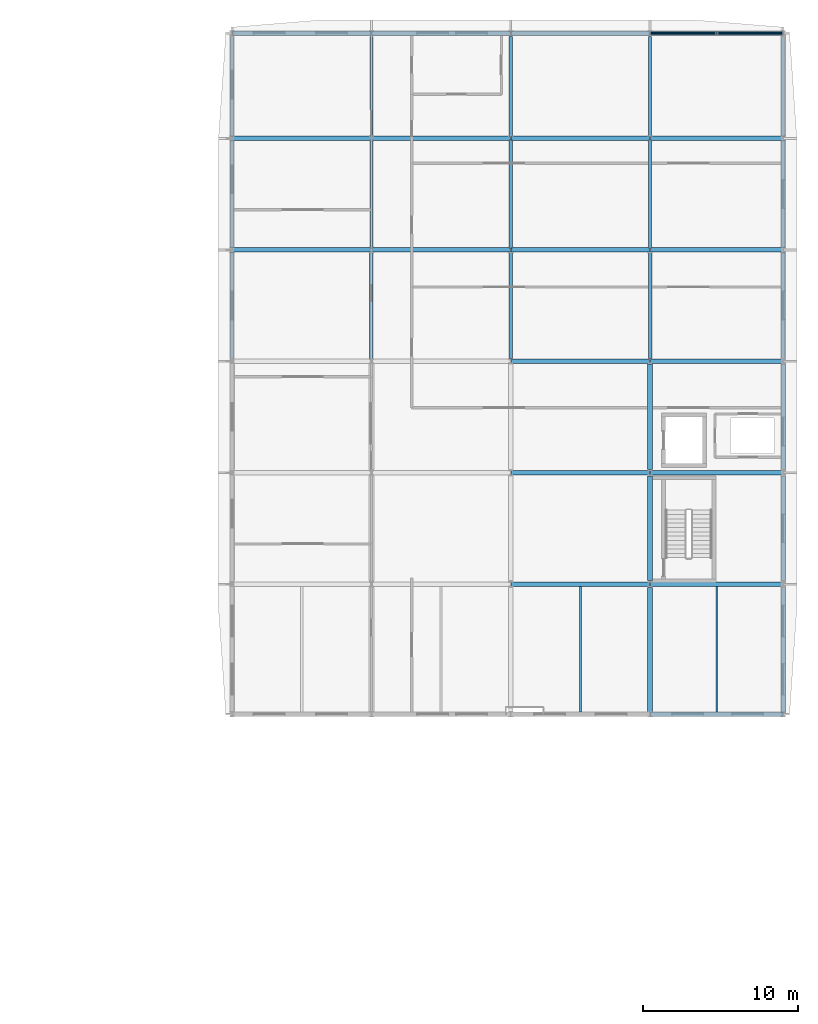
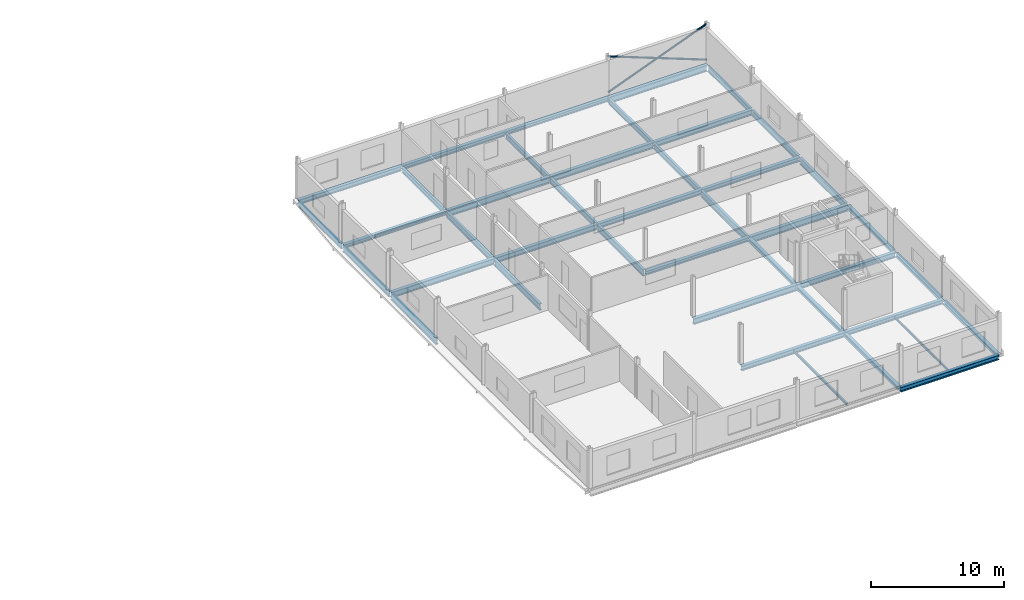
# One storey, part 11 of 30: 42 beams, 3 members.
"""IFC4 building model written with IfcOpenShell, lengths in metres."""

from ifc_helpers import new_model, si_unit, direction, frame, origin, origin_2d, place, context, subcontext, project, spatial, hollow_circle, i_section, extrude, material, material_profile, profile_set, type_object, element, save


model = new_model("IFC4")

# Units and contexts
model_context = context("Model", 3, precision=1e-05, world=origin(), true_north=direction((0.0, 1.0)))
body_context = subcontext(model_context, "Body", "Model", "MODEL_VIEW")
ifc_project = project(units=[si_unit("LENGTHUNIT", "METRE"), si_unit("AREAUNIT", "SQUARE_METRE"), si_unit("VOLUMEUNIT", "CUBIC_METRE"), si_unit("PLANEANGLEUNIT", "RADIAN"), si_unit("MASSUNIT", "GRAM", prefix="KILO")], contexts=[model_context])

# Site, building, storey
site_placement = place(None, origin())
site = spatial("IfcSite", under=ifc_project, at=site_placement, CompositionType="ELEMENT")
building_placement = place(site_placement, origin())
building = spatial("IfcBuilding", under=site, at=building_placement, Name="Vinh Khe Railworks Police Headquarters", CompositionType="ELEMENT")
storey_placement = place(building_placement, frame((0.0, 0.0, 21.0)))
storey = spatial("IfcBuildingStorey", under=building, at=storey_placement, Name="L05", CompositionType="ELEMENT", Elevation=21.0)

# Members
ifc_material = material(Name="Steel S355JR", Category="steel")
ifc_material_profile_1 = material_profile(ifc_material, hollow_circle(Radius=0.084228515625, WallThickness=0.010009765625, at=origin_2d()), Name="CHS 168.3x10")
ifc_profile_set_1 = profile_set([ifc_material_profile_1], Name="Steel S355JR")
member_type = type_object("IfcMemberType", Name="Concentric Brace CHS 168.3x10", PredefinedType="BRACE", material=ifc_profile_set_1)
member_1_placement = place(storey_placement, frame((105.02001953125, 166.39990234375, 0.199951171875), z_axis=(0.933063425249, 0.0, 0.35971189091), x_axis=(0.0, 1.0, 0.0)))
element("IfcMember", 1, at=member_1_placement, inside=storey, type_object=member_type, Name="Continuous Concentric Brace MEM-BR-L05-BR-12-064", PredefinedType="BRACE", context=body_context, shape_type="SweptSolid", body=[
    extrude(hollow_circle(Radius=0.084228515625, WallThickness=0.010009765625, at=origin_2d()), origin(), (0.0, 0.0, 1.0), 9.174072265625),
])
member_2_placement = place(storey_placement, frame((105.02001953125, 166.39990234375, 3.5), z_axis=(0.933076851363, 0.0, -0.359677062725), x_axis=(0.0, 1.0, 0.0)))
element("IfcMember", 2, at=member_2_placement, inside=storey, type_object=member_type, Name="Split X-Brace Segment MEM-BR-L05-BR-12-065 (2A)", PredefinedType="BRACE", context=body_context, shape_type="SweptSolid", body=[
    extrude(hollow_circle(Radius=0.084228515625, WallThickness=0.010009765625, at=origin_2d()), origin(), (0.0, 0.0, 1.0), 4.49951171875),
])
member_3_placement = place(storey_placement, frame((109.381591796875, 166.39990234375, 1.818603515625), z_axis=(0.933058641154, 0.0, -0.359724300218), x_axis=(0.0, 1.0, 0.0)))
element("IfcMember", 3, at=member_3_placement, inside=storey, type_object=member_type, Name="Split X-Brace Segment MEM-BR-L05-BR-12-066 (2B)", PredefinedType="BRACE", context=body_context, shape_type="SweptSolid", body=[
    extrude(hollow_circle(Radius=0.084228515625, WallThickness=0.010009765625, at=origin_2d()), origin(), (0.0, 0.0, 1.0), 4.499755859375),
])

# Beams
ifc_material_profile_2 = material_profile(ifc_material, i_section(OverallWidth=0.10009765625, OverallDepth=0.199951171875, WebThickness=0.005615234375, FlangeThickness=0.008544921875, FilletRadius=0.011962890625, at=origin_2d()), Name="IPE 200")
ifc_profile_set_2 = profile_set([ifc_material_profile_2], Name="Steel S355JR")
beam_type_1 = type_object("IfcBeamType", Name="Secondary Joist IPE 200", PredefinedType="JOIST", material=ifc_profile_set_2)
beam_1_placement = place(storey_placement, frame((109.300048828125, 122.550048828125, -0.300048828125), z_axis=(0.0, 1.0, 0.0), x_axis=(-1.0, 0.0, 0.0)))
element("IfcBeam", 4, at=beam_1_placement, inside=storey, type_object=beam_type_1, Name="Secondary Joist JST-L05-SJ-06-0044", PredefinedType="JOIST", context=body_context, shape_type="SweptSolid", body=[
    extrude(i_section(OverallWidth=0.10009765625, OverallDepth=0.199951171875, WebThickness=0.005615234375, FlangeThickness=0.008544921875, FilletRadius=0.011962890625, at=origin_2d()), origin(), (0.0, 0.0, 1.0), 8.099853515625),
])
ifc_material_profile_3 = material_profile(ifc_material, i_section(OverallWidth=0.1201171875, OverallDepth=0.239990234375, WebThickness=0.006103515625, FlangeThickness=0.009765625, FilletRadius=0.014892578125, at=origin_2d()), Name="IPE 240")
ifc_profile_set_3 = profile_set([ifc_material_profile_3], Name="Steel S355JR")
beam_type_2 = type_object("IfcBeamType", Name="Secondary Joist IPE 240", PredefinedType="JOIST", material=ifc_profile_set_3)
beam_2_placement = place(storey_placement, frame((100.5, 122.550048828125, -0.320068359375), z_axis=(0.0, 1.0, 0.0), x_axis=(-1.0, 0.0, 0.0)))
element("IfcBeam", 5, at=beam_2_placement, inside=storey, type_object=beam_type_2, Name="Secondary Joist JST-L05-SJ-04-0043", PredefinedType="JOIST", context=body_context, shape_type="SweptSolid", body=[
    extrude(i_section(OverallWidth=0.1201171875, OverallDepth=0.239990234375, WebThickness=0.006103515625, FlangeThickness=0.009765625, FilletRadius=0.014892578125, at=origin_2d()), origin(), (0.0, 0.0, 1.0), 8.099853515625),
])
ifc_material_profile_4 = material_profile(ifc_material, i_section(OverallWidth=0.300048828125, OverallDepth=0.330078125, WebThickness=0.009521484375, FlangeThickness=0.0166015625, FilletRadius=0.027099609375, at=origin_2d()), Name="HEA 340")
ifc_profile_set_4 = profile_set([ifc_material_profile_4], Name="Steel S355JR")
beam_type_3 = type_object("IfcBeamType", Name="Steel Girder HEA 340", PredefinedType="BEAM", material=ifc_profile_set_4)
for number, where, z_axis, x_axis, name in (
    (6, (105.0, 138.199951171875, -0.364990234375), (0.0, 1.0, 0.0), (-1.0, 0.0, 0.0), "Girder BM-L05-NS-SB-16-1658"),
    (7, (113.60009765625, 138.199951171875, -0.364990234375), (0.0, 1.0, 0.0), (-1.0, 0.0, 0.0), "Girder BM-L05-NS-SB-16-1664"),
):
    element("IfcBeam", number, at=place(storey_placement, frame(where, z_axis=z_axis, x_axis=x_axis)), inside=storey, type_object=beam_type_3, Name=name, PredefinedType="BEAM", context=body_context, shape_type="SweptSolid", body=[
        extrude(i_section(OverallWidth=0.300048828125, OverallDepth=0.330078125, WebThickness=0.009521484375, FlangeThickness=0.0166015625, FilletRadius=0.027099609375, at=origin_2d()), origin(), (0.0, 0.0, 1.0), 6.824951171875),
    ])
ifc_material_profile_5 = material_profile(ifc_material, i_section(OverallWidth=0.300048828125, OverallDepth=0.35009765625, WebThickness=0.010009765625, FlangeThickness=0.017578125, FilletRadius=0.027099609375, at=origin_2d()), Name="HEA 360")
ifc_profile_set_5 = profile_set([ifc_material_profile_5], Name="Steel S355JR")
beam_type_4 = type_object("IfcBeamType", Name="Steel Girder HEA 360", PredefinedType="BEAM", material=ifc_profile_set_5)
for number, where, z_axis, x_axis, name in (
    (8, (96.02001953125, 145.199951171875, -0.375), (1.0, 0.0, 0.0), (0.0, 1.0, 0.0), "Girder BM-L05-EW-SB-15-1560"),
    (9, (78.02001953125, 159.60009765625, -0.375), (1.0, 0.0, 0.0), (0.0, 1.0, 0.0), "Girder BM-L05-EW-SB-15-1566"),
    (10, (96.02001953125, 166.39990234375, -0.375), (1.0, 0.0, 0.0), (0.0, 1.0, 0.0), "Girder BM-L05-EW-SB-15-1572"),
):
    element("IfcBeam", number, at=place(storey_placement, frame(where, z_axis=z_axis, x_axis=x_axis)), inside=storey, type_object=beam_type_4, Name=name, PredefinedType="BEAM", context=body_context, shape_type="SweptSolid", body=[
        extrude(i_section(OverallWidth=0.300048828125, OverallDepth=0.35009765625, WebThickness=0.010009765625, FlangeThickness=0.017578125, FilletRadius=0.027099609375, at=origin_2d()), origin(), (0.0, 0.0, 1.0), 8.9599609375),
    ])
beam_3_placement = place(storey_placement, frame((105.0, 122.510009765625, -0.375), z_axis=(0.0, 1.0, 0.0), x_axis=(-1.0, 0.0, 0.0)))
element("IfcBeam", 11, at=beam_3_placement, inside=storey, type_object=beam_type_4, Name="Girder BM-L05-NS-SB-15-1656", PredefinedType="BEAM", context=body_context, shape_type="SweptSolid", body=[
    extrude(i_section(OverallWidth=0.300048828125, OverallDepth=0.35009765625, WebThickness=0.010009765625, FlangeThickness=0.017578125, FilletRadius=0.027099609375, at=origin_2d()), origin(), (0.0, 0.0, 1.0), 8.06494140625),
])
beam_4_placement = place(storey_placement, frame((105.0, 131.02490234375, -0.375), z_axis=(0.0, 1.0, 0.0), x_axis=(-1.0, 0.0, 0.0)))
element("IfcBeam", 12, at=beam_4_placement, inside=storey, type_object=beam_type_4, Name="Girder BM-L05-NS-SB-15-1657", PredefinedType="BEAM", context=body_context, shape_type="SweptSolid", body=[
    extrude(i_section(OverallWidth=0.300048828125, OverallDepth=0.35009765625, WebThickness=0.010009765625, FlangeThickness=0.017578125, FilletRadius=0.027099609375, at=origin_2d()), origin(), (0.0, 0.0, 1.0), 6.775146484375),
])
beam_5_placement = place(storey_placement, frame((113.60009765625, 122.510009765625, -0.375), z_axis=(0.0, 1.0, 0.0), x_axis=(-1.0, 0.0, 0.0)))
element("IfcBeam", 13, at=beam_5_placement, inside=storey, type_object=beam_type_4, Name="Girder BM-L05-NS-SB-15-1662", PredefinedType="BEAM", context=body_context, shape_type="SweptSolid", body=[
    extrude(i_section(OverallWidth=0.300048828125, OverallDepth=0.35009765625, WebThickness=0.010009765625, FlangeThickness=0.017578125, FilletRadius=0.027099609375, at=origin_2d()), origin(), (0.0, 0.0, 1.0), 8.06494140625),
])
beam_6_placement = place(storey_placement, frame((113.60009765625, 131.02490234375, -0.375), z_axis=(0.0, 1.0, 0.0), x_axis=(-1.0, 0.0, 0.0)))
element("IfcBeam", 14, at=beam_6_placement, inside=storey, type_object=beam_type_4, Name="Girder BM-L05-NS-SB-15-1663", PredefinedType="BEAM", context=body_context, shape_type="SweptSolid", body=[
    extrude(i_section(OverallWidth=0.300048828125, OverallDepth=0.35009765625, WebThickness=0.010009765625, FlangeThickness=0.017578125, FilletRadius=0.027099609375, at=origin_2d()), origin(), (0.0, 0.0, 1.0), 6.775146484375),
])
ifc_material_profile_6 = material_profile(ifc_material, i_section(OverallWidth=0.300048828125, OverallDepth=0.389892578125, WebThickness=0.010986328125, FlangeThickness=0.01904296875, FilletRadius=0.027099609375, at=origin_2d()), Name="HEA 400")
ifc_profile_set_6 = profile_set([ifc_material_profile_6], Name="Steel S355JR")
beam_type_5 = type_object("IfcBeamType", Name="Steel Girder HEA 400", PredefinedType="BEAM", material=ifc_profile_set_6)
for number, where, z_axis, x_axis, name in (
    (15, (105.02001953125, 130.800048828125, -0.39501953125), (1.0, 0.0, 0.0), (0.0, 1.0, 0.0), "Girder BM-L05-EW-SB-14-1553"),
    (16, (105.02001953125, 152.39990234375, -0.39501953125), (1.0, 0.0, 0.0), (0.0, 1.0, 0.0), "Girder BM-L05-EW-SB-14-1565"),
):
    element("IfcBeam", number, at=place(storey_placement, frame(where, z_axis=z_axis, x_axis=x_axis)), inside=storey, type_object=beam_type_5, Name=name, PredefinedType="BEAM", context=body_context, shape_type="SweptSolid", body=[
        extrude(i_section(OverallWidth=0.300048828125, OverallDepth=0.389892578125, WebThickness=0.010986328125, FlangeThickness=0.01904296875, FilletRadius=0.027099609375, at=origin_2d()), origin(), (0.0, 0.0, 1.0), 8.56005859375),
    ])
beam_7_placement = place(storey_placement, frame((87.02001953125, 166.39990234375, -0.39501953125), z_axis=(1.0, 0.0, 0.0), x_axis=(0.0, 1.0, 0.0)))
element("IfcBeam", 17, at=beam_7_placement, inside=storey, type_object=beam_type_5, Name="Girder BM-L05-EW-SB-14-1571", PredefinedType="BEAM", context=body_context, shape_type="SweptSolid", body=[
    extrude(i_section(OverallWidth=0.300048828125, OverallDepth=0.389892578125, WebThickness=0.010986328125, FlangeThickness=0.01904296875, FilletRadius=0.027099609375, at=origin_2d()), origin(), (0.0, 0.0, 1.0), 8.9599609375),
])
ifc_material_profile_7 = material_profile(ifc_material, i_section(OverallWidth=0.300048828125, OverallDepth=0.43994140625, WebThickness=0.011474609375, FlangeThickness=0.02099609375, FilletRadius=0.027099609375, at=origin_2d()), Name="HEA 450")
ifc_profile_set_7 = profile_set([ifc_material_profile_7], Name="Steel S355JR")
beam_type_6 = type_object("IfcBeamType", Name="Steel Girder HEA 450", PredefinedType="BEAM", material=ifc_profile_set_7)
beam_8_placement = place(storey_placement, frame((105.02001953125, 122.39990234375, -0.419921875), z_axis=(1.0, 0.0, 0.0), x_axis=(0.0, 1.0, 0.0)))
element("IfcBeam", 18, at=beam_8_placement, inside=storey, type_object=beam_type_6, Name="Girder BM-L05-EW-SB-13-1546", PredefinedType="BEAM", context=body_context, shape_type="SweptSolid", body=[
    extrude(i_section(OverallWidth=0.300048828125, OverallDepth=0.43994140625, WebThickness=0.011474609375, FlangeThickness=0.02099609375, FilletRadius=0.027099609375, at=origin_2d()), origin(), (0.0, 0.0, 1.0), 8.56005859375),
])
for number, where, z_axis, x_axis, name in (
    (19, (96.02001953125, 130.800048828125, -0.419921875), (1.0, 0.0, 0.0), (0.0, 1.0, 0.0), "Girder BM-L05-EW-SB-13-1552"),
    (20, (96.02001953125, 152.39990234375, -0.419921875), (1.0, 0.0, 0.0), (0.0, 1.0, 0.0), "Girder BM-L05-EW-SB-13-1564"),
    (21, (78.02001953125, 166.39990234375, -0.419921875), (1.0, 0.0, 0.0), (0.0, 1.0, 0.0), "Girder BM-L05-EW-SB-13-1570"),
):
    element("IfcBeam", number, at=place(storey_placement, frame(where, z_axis=z_axis, x_axis=x_axis)), inside=storey, type_object=beam_type_6, Name=name, PredefinedType="BEAM", context=body_context, shape_type="SweptSolid", body=[
        extrude(i_section(OverallWidth=0.300048828125, OverallDepth=0.43994140625, WebThickness=0.011474609375, FlangeThickness=0.02099609375, FilletRadius=0.027099609375, at=origin_2d()), origin(), (0.0, 0.0, 1.0), 8.9599609375),
    ])
ifc_material_profile_8 = material_profile(ifc_material, i_section(OverallWidth=0.300048828125, OverallDepth=0.489990234375, WebThickness=0.011962890625, FlangeThickness=0.02294921875, FilletRadius=0.027099609375, at=origin_2d()), Name="HEA 500")
ifc_profile_set_8 = profile_set([ifc_material_profile_8], Name="Steel S355JR")
beam_type_7 = type_object("IfcBeamType", Name="Steel Girder HEA 500", PredefinedType="BEAM", material=ifc_profile_set_8)
beam_9_placement = place(storey_placement, frame((105.02001953125, 138.0, -0.445068359375), z_axis=(1.0, 0.0, 0.0), x_axis=(0.0, 1.0, 0.0)))
element("IfcBeam", 22, at=beam_9_placement, inside=storey, type_object=beam_type_7, Name="Girder BM-L05-EW-SB-12-1557", PredefinedType="BEAM", context=body_context, shape_type="SweptSolid", body=[
    extrude(i_section(OverallWidth=0.300048828125, OverallDepth=0.489990234375, WebThickness=0.011962890625, FlangeThickness=0.02294921875, FilletRadius=0.027099609375, at=origin_2d()), origin(), (0.0, 0.0, 1.0), 8.56005859375),
])
beam_10_placement = place(storey_placement, frame((87.02001953125, 152.39990234375, -0.445068359375), z_axis=(1.0, 0.0, 0.0), x_axis=(0.0, 1.0, 0.0)))
element("IfcBeam", 23, at=beam_10_placement, inside=storey, type_object=beam_type_7, Name="Girder BM-L05-EW-SB-12-1563", PredefinedType="BEAM", context=body_context, shape_type="SweptSolid", body=[
    extrude(i_section(OverallWidth=0.300048828125, OverallDepth=0.489990234375, WebThickness=0.011962890625, FlangeThickness=0.02294921875, FilletRadius=0.027099609375, at=origin_2d()), origin(), (0.0, 0.0, 1.0), 8.9599609375),
])
beam_11_placement = place(storey_placement, frame((105.02001953125, 159.60009765625, -0.445068359375), z_axis=(1.0, 0.0, 0.0), x_axis=(0.0, 1.0, 0.0)))
element("IfcBeam", 24, at=beam_11_placement, inside=storey, type_object=beam_type_7, Name="Girder BM-L05-EW-SB-12-1569", PredefinedType="BEAM", context=body_context, shape_type="SweptSolid", body=[
    extrude(i_section(OverallWidth=0.300048828125, OverallDepth=0.489990234375, WebThickness=0.011962890625, FlangeThickness=0.02294921875, FilletRadius=0.027099609375, at=origin_2d()), origin(), (0.0, 0.0, 1.0), 8.56005859375),
])
ifc_material_profile_9 = material_profile(ifc_material, i_section(OverallWidth=0.300048828125, OverallDepth=0.5400390625, WebThickness=0.012451171875, FlangeThickness=0.02392578125, FilletRadius=0.027099609375, at=origin_2d()), Name="HEA 550")
ifc_profile_set_9 = profile_set([ifc_material_profile_9], Name="Steel S355JR")
beam_type_8 = type_object("IfcBeamType", Name="Steel Girder HEA 550", PredefinedType="BEAM", material=ifc_profile_set_9)
for number, where, z_axis, x_axis, name in (
    (25, (96.02001953125, 138.0, -0.469970703125), (1.0, 0.0, 0.0), (0.0, 1.0, 0.0), "Girder BM-L05-EW-SB-11-1556"),
    (26, (78.02001953125, 152.39990234375, -0.469970703125), (1.0, 0.0, 0.0), (0.0, 1.0, 0.0), "Girder BM-L05-EW-SB-11-1562"),
    (27, (96.02001953125, 159.60009765625, -0.469970703125), (1.0, 0.0, 0.0), (0.0, 1.0, 0.0), "Girder BM-L05-EW-SB-11-1568"),
):
    element("IfcBeam", number, at=place(storey_placement, frame(where, z_axis=z_axis, x_axis=x_axis)), inside=storey, type_object=beam_type_8, Name=name, PredefinedType="BEAM", context=body_context, shape_type="SweptSolid", body=[
        extrude(i_section(OverallWidth=0.300048828125, OverallDepth=0.5400390625, WebThickness=0.012451171875, FlangeThickness=0.02392578125, FilletRadius=0.027099609375, at=origin_2d()), origin(), (0.0, 0.0, 1.0), 8.9599609375),
    ])
ifc_material_profile_10 = material_profile(ifc_material, i_section(OverallWidth=0.300048828125, OverallDepth=0.590087890625, WebThickness=0.012939453125, FlangeThickness=0.02490234375, FilletRadius=0.027099609375, at=origin_2d()), Name="HEA 600")
ifc_profile_set_10 = profile_set([ifc_material_profile_10], Name="Steel S355JR")
beam_type_9 = type_object("IfcBeamType", Name="Steel Girder HEA 600", PredefinedType="BEAM", material=ifc_profile_set_10)
beam_12_placement = place(storey_placement, frame((105.02001953125, 145.199951171875, -0.4951171875), z_axis=(1.0, 0.0, 0.0), x_axis=(0.0, 1.0, 0.0)))
element("IfcBeam", 28, at=beam_12_placement, inside=storey, type_object=beam_type_9, Name="Girder BM-L05-EW-SB-10-1561", PredefinedType="BEAM", context=body_context, shape_type="SweptSolid", body=[
    extrude(i_section(OverallWidth=0.300048828125, OverallDepth=0.590087890625, WebThickness=0.012939453125, FlangeThickness=0.02490234375, FilletRadius=0.027099609375, at=origin_2d()), origin(), (0.0, 0.0, 1.0), 8.56005859375),
])
beam_13_placement = place(storey_placement, frame((87.02001953125, 159.60009765625, -0.4951171875), z_axis=(1.0, 0.0, 0.0), x_axis=(0.0, 1.0, 0.0)))
element("IfcBeam", 29, at=beam_13_placement, inside=storey, type_object=beam_type_9, Name="Girder BM-L05-EW-SB-10-1567", PredefinedType="BEAM", context=body_context, shape_type="SweptSolid", body=[
    extrude(i_section(OverallWidth=0.300048828125, OverallDepth=0.590087890625, WebThickness=0.012939453125, FlangeThickness=0.02490234375, FilletRadius=0.027099609375, at=origin_2d()), origin(), (0.0, 0.0, 1.0), 8.9599609375),
])
beam_14_placement = place(storey_placement, frame((105.02001953125, 166.39990234375, -0.4951171875), z_axis=(1.0, 0.0, 0.0), x_axis=(0.0, 1.0, 0.0)))
element("IfcBeam", 30, at=beam_14_placement, inside=storey, type_object=beam_type_9, Name="Girder BM-L05-EW-SB-10-1573", PredefinedType="BEAM", context=body_context, shape_type="SweptSolid", body=[
    extrude(i_section(OverallWidth=0.300048828125, OverallDepth=0.590087890625, WebThickness=0.012939453125, FlangeThickness=0.02490234375, FilletRadius=0.027099609375, at=origin_2d()), origin(), (0.0, 0.0, 1.0), 8.56005859375),
])
ifc_material_profile_11 = material_profile(ifc_material, i_section(OverallWidth=0.199951171875, OverallDepth=0.5, WebThickness=0.01025390625, FlangeThickness=0.01611328125, FilletRadius=0.02099609375, at=origin_2d()), Name="IPE 500")
ifc_profile_set_11 = profile_set([ifc_material_profile_11], Name="Steel S355JR")
beam_type_10 = type_object("IfcBeamType", Name="Steel Girder IPE 500", PredefinedType="BEAM", material=ifc_profile_set_11)
for number, where, z_axis, x_axis, name in (
    (31, (78.0, 159.7099609375, -0.449951171875), (0.0, 1.0, 0.0), (-1.0, 0.0, 0.0), "Girder BM-L05-NS-SB-19-1643"),
    (32, (87.0, 159.7099609375, -0.449951171875), (0.0, 1.0, 0.0), (-1.0, 0.0, 0.0), "Girder BM-L05-NS-SB-19-1649"),
    (33, (96.0, 159.7099609375, -0.449951171875), (0.0, 1.0, 0.0), (-1.0, 0.0, 0.0), "Girder BM-L05-NS-SB-19-1655"),
    (34, (105.0, 159.7099609375, -0.449951171875), (0.0, 1.0, 0.0), (-1.0, 0.0, 0.0), "Girder BM-L05-NS-SB-19-1661"),
    (35, (113.60009765625, 159.7099609375, -0.449951171875), (0.0, 1.0, 0.0), (-1.0, 0.0, 0.0), "Girder BM-L05-NS-SB-19-1667"),
):
    element("IfcBeam", number, at=place(storey_placement, frame(where, z_axis=z_axis, x_axis=x_axis)), inside=storey, type_object=beam_type_10, Name=name, PredefinedType="BEAM", context=body_context, shape_type="SweptSolid", body=[
        extrude(i_section(OverallWidth=0.199951171875, OverallDepth=0.5, WebThickness=0.01025390625, FlangeThickness=0.01611328125, FilletRadius=0.02099609375, at=origin_2d()), origin(), (0.0, 0.0, 1.0), 6.465087890625),
    ])
ifc_material_profile_12 = material_profile(ifc_material, i_section(OverallWidth=0.2099609375, OverallDepth=0.550048828125, WebThickness=0.010986328125, FlangeThickness=0.01708984375, FilletRadius=0.02392578125, at=origin_2d()), Name="IPE 550")
ifc_profile_set_12 = profile_set([ifc_material_profile_12], Name="Steel S355JR")
beam_type_11 = type_object("IfcBeamType", Name="Steel Girder IPE 550", PredefinedType="BEAM", material=ifc_profile_set_12)
for number, where, z_axis, x_axis, name in (
    (36, (78.0, 152.530029296875, -0.47509765625), (0.0, 1.0, 0.0), (-1.0, 0.0, 0.0), "Girder BM-L05-NS-SB-18-1642"),
    (37, (87.0, 152.530029296875, -0.47509765625), (0.0, 1.0, 0.0), (-1.0, 0.0, 0.0), "Girder BM-L05-NS-SB-18-1648"),
    (38, (96.0, 152.530029296875, -0.47509765625), (0.0, 1.0, 0.0), (-1.0, 0.0, 0.0), "Girder BM-L05-NS-SB-18-1654"),
    (39, (105.0, 152.530029296875, -0.47509765625), (0.0, 1.0, 0.0), (-1.0, 0.0, 0.0), "Girder BM-L05-NS-SB-18-1660"),
    (40, (113.60009765625, 152.530029296875, -0.47509765625), (0.0, 1.0, 0.0), (-1.0, 0.0, 0.0), "Girder BM-L05-NS-SB-18-1666"),
):
    element("IfcBeam", number, at=place(storey_placement, frame(where, z_axis=z_axis, x_axis=x_axis)), inside=storey, type_object=beam_type_11, Name=name, PredefinedType="BEAM", context=body_context, shape_type="SweptSolid", body=[
        extrude(i_section(OverallWidth=0.2099609375, OverallDepth=0.550048828125, WebThickness=0.010986328125, FlangeThickness=0.01708984375, FilletRadius=0.02392578125, at=origin_2d()), origin(), (0.0, 0.0, 1.0), 6.9599609375),
    ])
ifc_material_profile_13 = material_profile(ifc_material, i_section(OverallWidth=0.219970703125, OverallDepth=0.60009765625, WebThickness=0.011962890625, FlangeThickness=0.01904296875, FilletRadius=0.02392578125, at=origin_2d()), Name="IPE 600")
ifc_profile_set_13 = profile_set([ifc_material_profile_13], Name="Steel S355JR")
beam_type_12 = type_object("IfcBeamType", Name="Steel Girder IPE 600", PredefinedType="BEAM", material=ifc_profile_set_13)
for number, where, z_axis, x_axis, name in (
    (41, (78.0, 145.375, -0.5), (0.0, 1.0, 0.0), (-1.0, 0.0, 0.0), "Girder BM-L05-NS-SB-17-1641"),
    (42, (87.0, 145.375, -0.5), (0.0, 1.0, 0.0), (-1.0, 0.0, 0.0), "Girder BM-L05-NS-SB-17-1647"),
    (43, (96.0, 145.375, -0.5), (0.0, 1.0, 0.0), (-1.0, 0.0, 0.0), "Girder BM-L05-NS-SB-17-1653"),
    (44, (105.0, 145.375, -0.5), (0.0, 1.0, 0.0), (-1.0, 0.0, 0.0), "Girder BM-L05-NS-SB-17-1659"),
    (45, (113.60009765625, 145.375, -0.5), (0.0, 1.0, 0.0), (-1.0, 0.0, 0.0), "Girder BM-L05-NS-SB-17-1665"),
):
    element("IfcBeam", number, at=place(storey_placement, frame(where, z_axis=z_axis, x_axis=x_axis)), inside=storey, type_object=beam_type_12, Name=name, PredefinedType="BEAM", context=body_context, shape_type="SweptSolid", body=[
        extrude(i_section(OverallWidth=0.219970703125, OverallDepth=0.60009765625, WebThickness=0.011962890625, FlangeThickness=0.01904296875, FilletRadius=0.02392578125, at=origin_2d()), origin(), (0.0, 0.0, 1.0), 6.89501953125),
    ])

save(model, "model.ifc")
